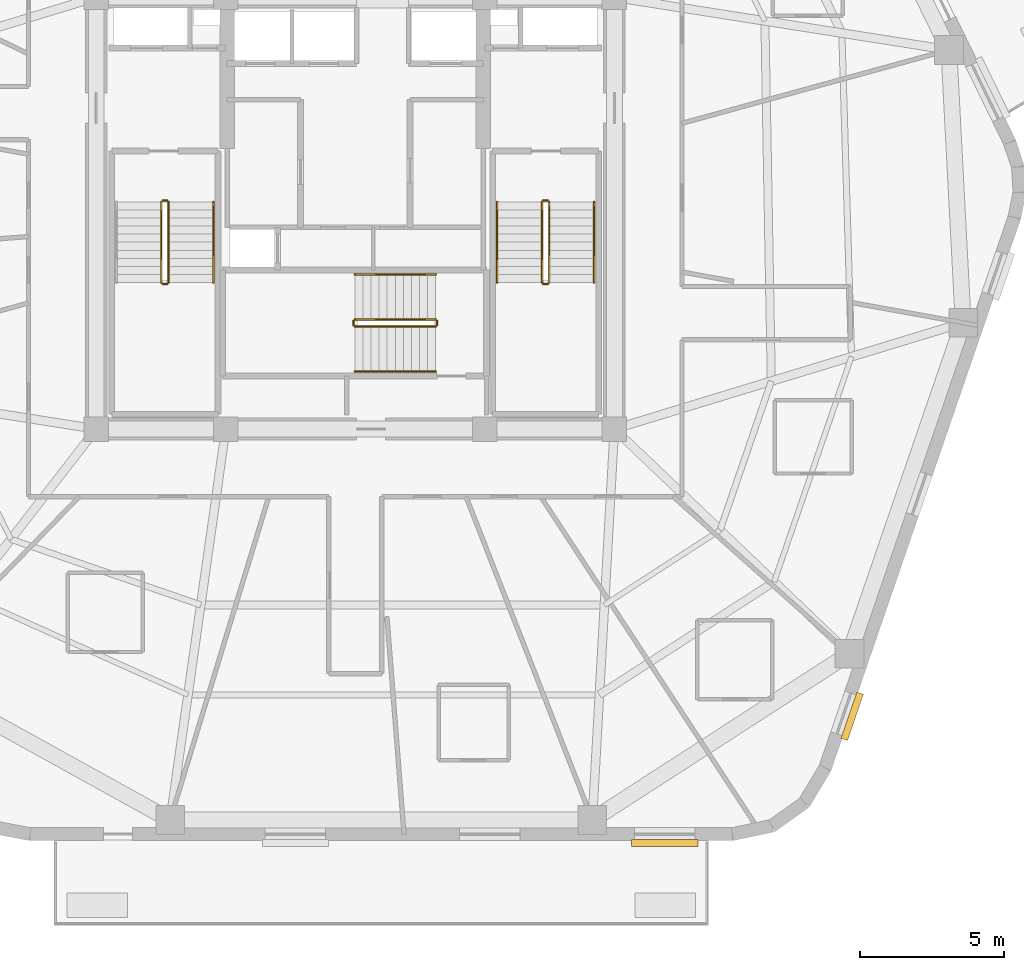
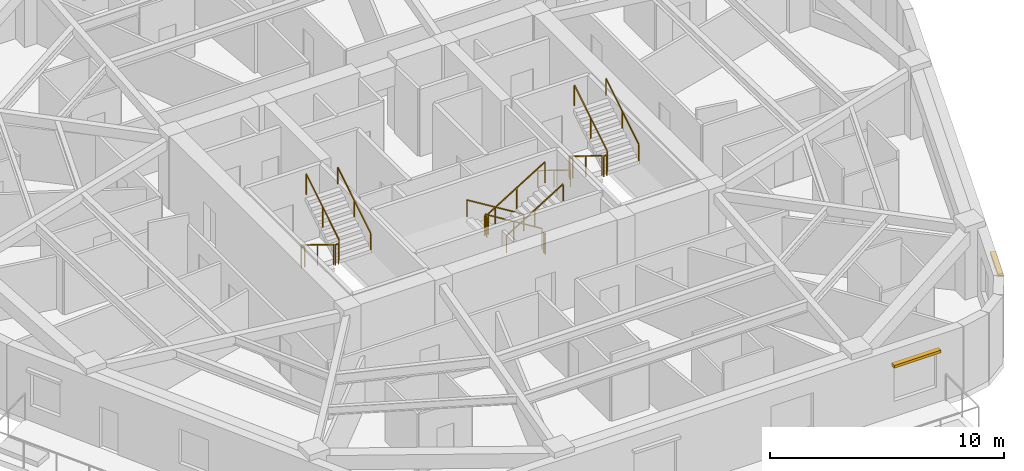
# One storey, part 9 of 10: 17 railings, 2 shading devices.
"""IFC4 building model written with IfcOpenShell, lengths in metres."""

from ifc_helpers import new_model, si_unit, direction, frame, origin, origin_2d, place, context, subcontext, project, spatial, rectangle, extrude, material, layer, layer_set, type_object, element, save


model = new_model("IFC4")

# Units and contexts
model_context = context("Model", 3, precision=1e-05, world=origin(), true_north=direction((0.0, 1.0)))
body_context = subcontext(model_context, "Body", "Model", "MODEL_VIEW")
ifc_project = project(units=[si_unit("LENGTHUNIT", "METRE"), si_unit("AREAUNIT", "SQUARE_METRE"), si_unit("VOLUMEUNIT", "CUBIC_METRE"), si_unit("PLANEANGLEUNIT", "RADIAN"), si_unit("MASSUNIT", "GRAM", prefix="KILO")], contexts=[model_context])

# Site, building, storey
site_placement = place(None, origin())
site = spatial("IfcSite", under=ifc_project, at=site_placement, CompositionType="ELEMENT")
building_placement = place(site_placement, origin())
building = spatial("IfcBuilding", under=site, at=building_placement, Name="Kilnhurst Terrace Hotel", CompositionType="ELEMENT")
storey_placement = place(building_placement, frame((0.0, 0.0, 210.300048828125)))
storey = spatial("IfcBuildingStorey", under=building, at=storey_placement, Name="L52", CompositionType="ELEMENT", Elevation=210.300048828125)

# Railings
ifc_material_1 = material(Name="Powder-Coated Steel ASTM A500 Grade B", Category="steel")
ifc_layer_1 = layer(ifc_material_1, 0.050048828125, Name="Powder-Coated Steel ASTM A500 Grade B")
ifc_layer_set_1 = layer_set([ifc_layer_1], Name="Powder-Coated Steel ASTM A500 Grade B")
railing_type_1 = type_object("IfcRailingType", Name="RLG-ST-GRD-1100", PredefinedType="GUARDRAIL", material=ifc_layer_set_1)
railing_1_placement = place(storey_placement, frame((-6.739990234375, 0.389892578125, 0.172607421875)))
element("IfcRailing", 1, at=railing_1_placement, inside=storey, type_object=railing_type_1, Name="L52 ST-1 stair guard 1", PredefinedType="GUARDRAIL", context=body_context, shape_type="SweptSolid", body=[
    extrude(rectangle(XDim=0.048095703125, YDim=0.048095703125, at=origin_2d()), frame((0.0, 0.0, 1.076171875), z_axis=(0.0, -0.851069175582, 0.525053576669), x_axis=(1.0, 0.0, 0.0)), (0.0, 0.0, 1.0), 3.289794921875),
    extrude(rectangle(XDim=0.0419921875, YDim=0.0419921875, at=origin_2d()), origin(), (0.0, 0.0, 1.0), 1.052001953125),
    extrude(rectangle(XDim=0.0419921875, YDim=0.0419921875, at=origin_2d()), frame((0.0, -1.39990234375, 0.86376953125)), (0.0, 0.0, 1.0), 1.052001953125),
    extrude(rectangle(XDim=0.0419921875, YDim=0.0419921875, at=origin_2d()), frame((0.0, -2.7998046875, 1.727294921875)), (0.0, 0.0, 1.0), 1.052001953125),
])
railing_2_placement = place(storey_placement, frame((-6.68994140625, -2.4599609375, 1.89990234375)))
element("IfcRailing", 2, at=railing_2_placement, inside=storey, type_object=railing_type_1, Name="L52 ST-1 stair guard 2", PredefinedType="GUARDRAIL", context=body_context, shape_type="SweptSolid", body=[
    extrude(rectangle(XDim=0.048095703125, YDim=0.048095703125, at=origin_2d()), frame((0.0, 0.0, 1.076171875), z_axis=(1.0, 0.0, 0.0), x_axis=(0.0, 1.0, 0.0)), (0.0, 0.0, 1.0), 0.14990234375),
    extrude(rectangle(XDim=0.0419921875, YDim=0.0419921875, at=origin_2d()), origin(), (0.0, 0.0, 1.0), 1.052001953125),
    extrude(rectangle(XDim=0.0419921875, YDim=0.0419921875, at=origin_2d()), frame((0.14990234375, 0.0, 0.0)), (0.0, 0.0, 1.0), 1.052001953125),
])
railing_3_placement = place(storey_placement, frame((-6.489990234375, -2.409912109375, 2.07275390625)))
element("IfcRailing", 3, at=railing_3_placement, inside=storey, type_object=railing_type_1, Name="L52 ST-1 stair guard 3", PredefinedType="GUARDRAIL", context=body_context, shape_type="SweptSolid", body=[
    extrude(rectangle(XDim=0.048095703125, YDim=0.048095703125, at=origin_2d()), frame((0.0, 0.0, 1.076171875), z_axis=(0.0, 0.851069175582, 0.525053576669), x_axis=(-1.0, 0.0, 0.0)), (0.0, 0.0, 1.0), 3.289794921875),
    extrude(rectangle(XDim=0.0419921875, YDim=0.0419921875, at=origin_2d()), origin(), (0.0, 0.0, 1.0), 1.052001953125),
    extrude(rectangle(XDim=0.0419921875, YDim=0.0419921875, at=origin_2d()), frame((0.0, 1.39990234375, 0.86376953125)), (0.0, 0.0, 1.0), 1.052001953125),
    extrude(rectangle(XDim=0.0419921875, YDim=0.0419921875, at=origin_2d()), frame((0.0, 2.7998046875, 1.727294921875)), (0.0, 0.0, 1.0), 1.052001953125),
])
railing_4_placement = place(storey_placement, frame((-6.68994140625, 0.43994140625, 0.0)))
element("IfcRailing", 4, at=railing_4_placement, inside=storey, type_object=railing_type_1, Name="L52 ST-1 stair guard 4", PredefinedType="GUARDRAIL", context=body_context, shape_type="SweptSolid", body=[
    extrude(rectangle(XDim=0.048095703125, YDim=0.048095703125, at=origin_2d()), frame((0.0, 0.0, 1.076171875), z_axis=(1.0, 0.0, 0.0), x_axis=(0.0, 1.0, 0.0)), (0.0, 0.0, 1.0), 0.14990234375),
    extrude(rectangle(XDim=0.0419921875, YDim=0.0419921875, at=origin_2d()), origin(), (0.0, 0.0, 1.0), 1.052001953125),
    extrude(rectangle(XDim=0.0419921875, YDim=0.0419921875, at=origin_2d()), frame((0.14990234375, 0.0, 0.0)), (0.0, 0.0, 1.0), 1.052001953125),
])
railing_5_placement = place(storey_placement, frame((6.489990234375, 0.389892578125, 0.172607421875)))
element("IfcRailing", 5, at=railing_5_placement, inside=storey, type_object=railing_type_1, Name="L52 ST-2 stair guard 1", PredefinedType="GUARDRAIL", context=body_context, shape_type="SweptSolid", body=[
    extrude(rectangle(XDim=0.048095703125, YDim=0.048095703125, at=origin_2d()), frame((0.0, 0.0, 1.076171875), z_axis=(0.0, -0.851069175582, 0.525053576669), x_axis=(1.0, 0.0, 0.0)), (0.0, 0.0, 1.0), 3.289794921875),
    extrude(rectangle(XDim=0.0419921875, YDim=0.0419921875, at=origin_2d()), origin(), (0.0, 0.0, 1.0), 1.052001953125),
    extrude(rectangle(XDim=0.0419921875, YDim=0.0419921875, at=origin_2d()), frame((0.0, -1.39990234375, 0.86376953125)), (0.0, 0.0, 1.0), 1.052001953125),
    extrude(rectangle(XDim=0.0419921875, YDim=0.0419921875, at=origin_2d()), frame((0.0, -2.7998046875, 1.727294921875)), (0.0, 0.0, 1.0), 1.052001953125),
])
railing_6_placement = place(storey_placement, frame((6.5400390625, -2.4599609375, 1.89990234375)))
element("IfcRailing", 6, at=railing_6_placement, inside=storey, type_object=railing_type_1, Name="L52 ST-2 stair guard 2", PredefinedType="GUARDRAIL", context=body_context, shape_type="SweptSolid", body=[
    extrude(rectangle(XDim=0.048095703125, YDim=0.048095703125, at=origin_2d()), frame((0.0, 0.0, 1.076171875), z_axis=(1.0, 0.0, 0.0), x_axis=(0.0, 1.0, 0.0)), (0.0, 0.0, 1.0), 0.14990234375),
    extrude(rectangle(XDim=0.0419921875, YDim=0.0419921875, at=origin_2d()), origin(), (0.0, 0.0, 1.0), 1.052001953125),
    extrude(rectangle(XDim=0.0419921875, YDim=0.0419921875, at=origin_2d()), frame((0.14990234375, 0.0, 0.0)), (0.0, 0.0, 1.0), 1.052001953125),
])
railing_7_placement = place(storey_placement, frame((6.739990234375, -2.409912109375, 2.07275390625)))
element("IfcRailing", 7, at=railing_7_placement, inside=storey, type_object=railing_type_1, Name="L52 ST-2 stair guard 3", PredefinedType="GUARDRAIL", context=body_context, shape_type="SweptSolid", body=[
    extrude(rectangle(XDim=0.048095703125, YDim=0.048095703125, at=origin_2d()), frame((0.0, 0.0, 1.076171875), z_axis=(0.0, 0.851069175582, 0.525053576669), x_axis=(-1.0, 0.0, 0.0)), (0.0, 0.0, 1.0), 3.289794921875),
    extrude(rectangle(XDim=0.0419921875, YDim=0.0419921875, at=origin_2d()), origin(), (0.0, 0.0, 1.0), 1.052001953125),
    extrude(rectangle(XDim=0.0419921875, YDim=0.0419921875, at=origin_2d()), frame((0.0, 1.39990234375, 0.86376953125)), (0.0, 0.0, 1.0), 1.052001953125),
    extrude(rectangle(XDim=0.0419921875, YDim=0.0419921875, at=origin_2d()), frame((0.0, 2.7998046875, 1.727294921875)), (0.0, 0.0, 1.0), 1.052001953125),
])
railing_8_placement = place(storey_placement, frame((6.5400390625, 0.43994140625, 0.0)))
element("IfcRailing", 8, at=railing_8_placement, inside=storey, type_object=railing_type_1, Name="L52 ST-2 stair guard 4", PredefinedType="GUARDRAIL", context=body_context, shape_type="SweptSolid", body=[
    extrude(rectangle(XDim=0.048095703125, YDim=0.048095703125, at=origin_2d()), frame((0.0, 0.0, 1.076171875), z_axis=(1.0, 0.0, 0.0), x_axis=(0.0, 1.0, 0.0)), (0.0, 0.0, 1.0), 0.14990234375),
    extrude(rectangle(XDim=0.0419921875, YDim=0.0419921875, at=origin_2d()), origin(), (0.0, 0.0, 1.0), 1.052001953125),
    extrude(rectangle(XDim=0.0419921875, YDim=0.0419921875, at=origin_2d()), frame((0.14990234375, 0.0, 0.0)), (0.0, 0.0, 1.0), 1.052001953125),
])
railing_9_placement = place(storey_placement, frame((2.7900390625, -3.68994140625, 0.172607421875)))
element("IfcRailing", 9, at=railing_9_placement, inside=storey, type_object=railing_type_1, Name="L52 ST-3 stair guard 1", PredefinedType="GUARDRAIL", context=body_context, shape_type="SweptSolid", body=[
    extrude(rectangle(XDim=0.048095703125, YDim=0.048095703125, at=origin_2d()), frame((0.0, 0.0, 1.076171875), z_axis=(-0.851089632645, 0.0, 0.525020415988), x_axis=(0.0, -1.0, 0.0)), (0.0, 0.0, 1.0), 3.2900390625),
    extrude(rectangle(XDim=0.0419921875, YDim=0.0419921875, at=origin_2d()), origin(), (0.0, 0.0, 1.0), 1.052001953125),
    extrude(rectangle(XDim=0.0419921875, YDim=0.0419921875, at=origin_2d()), frame((-1.39990234375, 0.0, 0.86376953125)), (0.0, 0.0, 1.0), 1.052001953125),
    extrude(rectangle(XDim=0.0419921875, YDim=0.0419921875, at=origin_2d()), frame((-2.800048828125, 0.0, 1.727294921875)), (0.0, 0.0, 1.0), 1.052001953125),
])
railing_10_placement = place(storey_placement, frame((-0.06005859375, -3.739990234375, 1.89990234375)))
element("IfcRailing", 10, at=railing_10_placement, inside=storey, type_object=railing_type_1, Name="L52 ST-3 stair guard 2", PredefinedType="GUARDRAIL", context=body_context, shape_type="SweptSolid", body=[
    extrude(rectangle(XDim=0.048095703125, YDim=0.048095703125, at=origin_2d()), frame((0.0, 0.0, 1.076171875), z_axis=(0.0, -1.0, 0.0), x_axis=(1.0, 0.0, 0.0)), (0.0, 0.0, 1.0), 0.14990234375),
    extrude(rectangle(XDim=0.0419921875, YDim=0.0419921875, at=origin_2d()), origin(), (0.0, 0.0, 1.0), 1.052001953125),
    extrude(rectangle(XDim=0.0419921875, YDim=0.0419921875, at=origin_2d()), frame((0.0, -0.14990234375, 0.0)), (0.0, 0.0, 1.0), 1.052001953125),
])
railing_11_placement = place(storey_placement, frame((-0.010009765625, -3.93994140625, 2.07275390625)))
element("IfcRailing", 11, at=railing_11_placement, inside=storey, type_object=railing_type_1, Name="L52 ST-3 stair guard 3", PredefinedType="GUARDRAIL", context=body_context, shape_type="SweptSolid", body=[
    extrude(rectangle(XDim=0.048095703125, YDim=0.048095703125, at=origin_2d()), frame((0.0, 0.0, 1.076171875), z_axis=(0.851089632645, 0.0, 0.525020415988), x_axis=(0.0, 1.0, 0.0)), (0.0, 0.0, 1.0), 3.2900390625),
    extrude(rectangle(XDim=0.0419921875, YDim=0.0419921875, at=origin_2d()), origin(), (0.0, 0.0, 1.0), 1.052001953125),
    extrude(rectangle(XDim=0.0419921875, YDim=0.0419921875, at=origin_2d()), frame((1.39990234375, 0.0, 0.86376953125)), (0.0, 0.0, 1.0), 1.052001953125),
    extrude(rectangle(XDim=0.0419921875, YDim=0.0419921875, at=origin_2d()), frame((2.800048828125, 0.0, 1.727294921875)), (0.0, 0.0, 1.0), 1.052001953125),
])
railing_12_placement = place(storey_placement, frame((2.840087890625, -3.739990234375, 0.0)))
element("IfcRailing", 12, at=railing_12_placement, inside=storey, type_object=railing_type_1, Name="L52 ST-3 stair guard 4", PredefinedType="GUARDRAIL", context=body_context, shape_type="SweptSolid", body=[
    extrude(rectangle(XDim=0.048095703125, YDim=0.048095703125, at=origin_2d()), frame((0.0, 0.0, 1.076171875), z_axis=(0.0, -1.0, 0.0), x_axis=(1.0, 0.0, 0.0)), (0.0, 0.0, 1.0), 0.14990234375),
    extrude(rectangle(XDim=0.0419921875, YDim=0.0419921875, at=origin_2d()), origin(), (0.0, 0.0, 1.0), 1.052001953125),
    extrude(rectangle(XDim=0.0419921875, YDim=0.0419921875, at=origin_2d()), frame((0.0, -0.14990234375, 0.0)), (0.0, 0.0, 1.0), 1.052001953125),
])
ifc_material_2 = material(Name="Brushed Stainless Steel AISI 304", Category="steel")
ifc_layer_2 = layer(ifc_material_2, 0.048095703125, Name="Brushed Stainless Steel AISI 304")
ifc_layer_set_2 = layer_set([ifc_layer_2], Name="Brushed Stainless Steel AISI 304")
railing_type_2 = type_object("IfcRailingType", Name="RLG-ST-HRL-900", PredefinedType="HANDRAIL", material=ifc_layer_set_2)
railing_13_placement = place(storey_placement, frame((-4.929931640625, -2.409912109375, 2.07275390625)))
element("IfcRailing", 13, at=railing_13_placement, inside=storey, type_object=railing_type_2, Name="L52 ST-1 stair handrail 2", PredefinedType="HANDRAIL", context=body_context, shape_type="SweptSolid", body=[
    extrude(rectangle(XDim=0.048095703125, YDim=0.048095703125, at=origin_2d()), frame((0.0, 0.0, 0.8759765625), z_axis=(0.0, 0.851069175582, 0.525053576669), x_axis=(-1.0, 0.0, 0.0)), (0.0, 0.0, 1.0), 3.289794921875),
    extrude(rectangle(XDim=0.0419921875, YDim=0.0419921875, at=origin_2d()), origin(), (0.0, 0.0, 1.0), 0.851806640625),
    extrude(rectangle(XDim=0.0419921875, YDim=0.0419921875, at=origin_2d()), frame((0.0, 1.39990234375, 0.86376953125)), (0.0, 0.0, 1.0), 0.851806640625),
    extrude(rectangle(XDim=0.0419921875, YDim=0.0419921875, at=origin_2d()), frame((0.0, 2.7998046875, 1.727294921875)), (0.0, 0.0, 1.0), 0.851806640625),
])
railing_14_placement = place(storey_placement, frame((4.929931640625, 0.389892578125, 0.172607421875)))
element("IfcRailing", 14, at=railing_14_placement, inside=storey, type_object=railing_type_2, Name="L52 ST-2 stair handrail 1", PredefinedType="HANDRAIL", context=body_context, shape_type="SweptSolid", body=[
    extrude(rectangle(XDim=0.048095703125, YDim=0.048095703125, at=origin_2d()), frame((0.0, 0.0, 0.8759765625), z_axis=(0.0, -0.851069175582, 0.525053576669), x_axis=(1.0, 0.0, 0.0)), (0.0, 0.0, 1.0), 3.289794921875),
    extrude(rectangle(XDim=0.0419921875, YDim=0.0419921875, at=origin_2d()), origin(), (0.0, 0.0, 1.0), 0.851806640625),
    extrude(rectangle(XDim=0.0419921875, YDim=0.0419921875, at=origin_2d()), frame((0.0, -1.39990234375, 0.86376953125)), (0.0, 0.0, 1.0), 0.851806640625),
    extrude(rectangle(XDim=0.0419921875, YDim=0.0419921875, at=origin_2d()), frame((0.0, -2.7998046875, 1.727294921875)), (0.0, 0.0, 1.0), 0.851806640625),
])
railing_15_placement = place(storey_placement, frame((8.300048828125, -2.409912109375, 2.07275390625)))
element("IfcRailing", 15, at=railing_15_placement, inside=storey, type_object=railing_type_2, Name="L52 ST-2 stair handrail 2", PredefinedType="HANDRAIL", context=body_context, shape_type="SweptSolid", body=[
    extrude(rectangle(XDim=0.048095703125, YDim=0.048095703125, at=origin_2d()), frame((0.0, 0.0, 0.8759765625), z_axis=(0.0, 0.851069175582, 0.525053576669), x_axis=(-1.0, 0.0, 0.0)), (0.0, 0.0, 1.0), 3.289794921875),
    extrude(rectangle(XDim=0.0419921875, YDim=0.0419921875, at=origin_2d()), origin(), (0.0, 0.0, 1.0), 0.851806640625),
    extrude(rectangle(XDim=0.0419921875, YDim=0.0419921875, at=origin_2d()), frame((0.0, 1.39990234375, 0.86376953125)), (0.0, 0.0, 1.0), 0.851806640625),
    extrude(rectangle(XDim=0.0419921875, YDim=0.0419921875, at=origin_2d()), frame((0.0, 2.7998046875, 1.727294921875)), (0.0, 0.0, 1.0), 0.851806640625),
])
railing_16_placement = place(storey_placement, frame((2.7900390625, -2.1298828125, 0.172607421875)))
element("IfcRailing", 16, at=railing_16_placement, inside=storey, type_object=railing_type_2, Name="L52 ST-3 stair handrail 1", PredefinedType="HANDRAIL", context=body_context, shape_type="SweptSolid", body=[
    extrude(rectangle(XDim=0.048095703125, YDim=0.048095703125, at=origin_2d()), frame((0.0, 0.0, 0.8759765625), z_axis=(-0.851089632645, 0.0, 0.525020415988), x_axis=(0.0, -1.0, 0.0)), (0.0, 0.0, 1.0), 3.2900390625),
    extrude(rectangle(XDim=0.0419921875, YDim=0.0419921875, at=origin_2d()), origin(), (0.0, 0.0, 1.0), 0.851806640625),
    extrude(rectangle(XDim=0.0419921875, YDim=0.0419921875, at=origin_2d()), frame((-1.39990234375, 0.0, 0.86376953125)), (0.0, 0.0, 1.0), 0.851806640625),
    extrude(rectangle(XDim=0.0419921875, YDim=0.0419921875, at=origin_2d()), frame((-2.800048828125, 0.0, 1.727294921875)), (0.0, 0.0, 1.0), 0.851806640625),
])
railing_17_placement = place(storey_placement, frame((-0.010009765625, -5.5, 2.07275390625)))
element("IfcRailing", 17, at=railing_17_placement, inside=storey, type_object=railing_type_2, Name="L52 ST-3 stair handrail 2", PredefinedType="HANDRAIL", context=body_context, shape_type="SweptSolid", body=[
    extrude(rectangle(XDim=0.048095703125, YDim=0.048095703125, at=origin_2d()), frame((0.0, 0.0, 0.8759765625), z_axis=(0.851089632645, 0.0, 0.525020415988), x_axis=(0.0, 1.0, 0.0)), (0.0, 0.0, 1.0), 3.2900390625),
    extrude(rectangle(XDim=0.0419921875, YDim=0.0419921875, at=origin_2d()), origin(), (0.0, 0.0, 1.0), 0.851806640625),
    extrude(rectangle(XDim=0.0419921875, YDim=0.0419921875, at=origin_2d()), frame((1.39990234375, 0.0, 0.86376953125)), (0.0, 0.0, 1.0), 0.851806640625),
    extrude(rectangle(XDim=0.0419921875, YDim=0.0419921875, at=origin_2d()), frame((2.800048828125, 0.0, 1.727294921875)), (0.0, 0.0, 1.0), 0.851806640625),
])

# Shading devices
ifc_material_3 = material(Name="Terracotta Baguette Sunshade on Aluminium Alloy 6063-T6", Category="masonry")
ifc_layer_3 = layer(ifc_material_3, 0.199951171875, Name="Terracotta Baguette Sunshade on Aluminium Alloy 6063-T6")
ifc_layer_set_3 = layer_set([ifc_layer_3], Name="Terracotta Baguette Sunshade on Aluminium Alloy 6063-T6")
shading_device_type = type_object("IfcShadingDeviceType", Name="SHD-SUN-200", PredefinedType="JALOUSIE", material=ifc_layer_set_3)
shading_device_1_placement = place(storey_placement, frame((10.748291015625, -21.8798828125, 2.68017578125), z_axis=(0.0, 0.0, 1.0), x_axis=(1.0, 0.0, 0.0)))
element("IfcShadingDevice", 18, at=shading_device_1_placement, inside=storey, type_object=shading_device_type, Name="L52 Terracotta Window Sunshade F1.3", PredefinedType="JALOUSIE", context=body_context, shape_type="SweptSolid", body=[
    extrude(rectangle(XDim=2.300048828125, YDim=0.239990234375, at=origin_2d()), origin(), (0.0, 0.0, 1.0), 0.139892578125),
])
shading_device_2_placement = place(storey_placement, frame((17.263671875, -17.47998046875, 2.6298828125), z_axis=(0.0, 0.0, 1.0), x_axis=(0.325089542819, 0.94568323933, 0.0)))
element("IfcShadingDevice", 19, at=shading_device_2_placement, inside=storey, type_object=shading_device_type, Name="L52 Terracotta Window Sunshade F2.1", PredefinedType="JALOUSIE", context=body_context, shape_type="SweptSolid", body=[
    extrude(rectangle(XDim=1.699951171875, YDim=0.239990234375, at=origin_2d()), origin(), (0.0, 0.0, 1.0), 0.139892578125),
])

save(model, "model.ifc")
